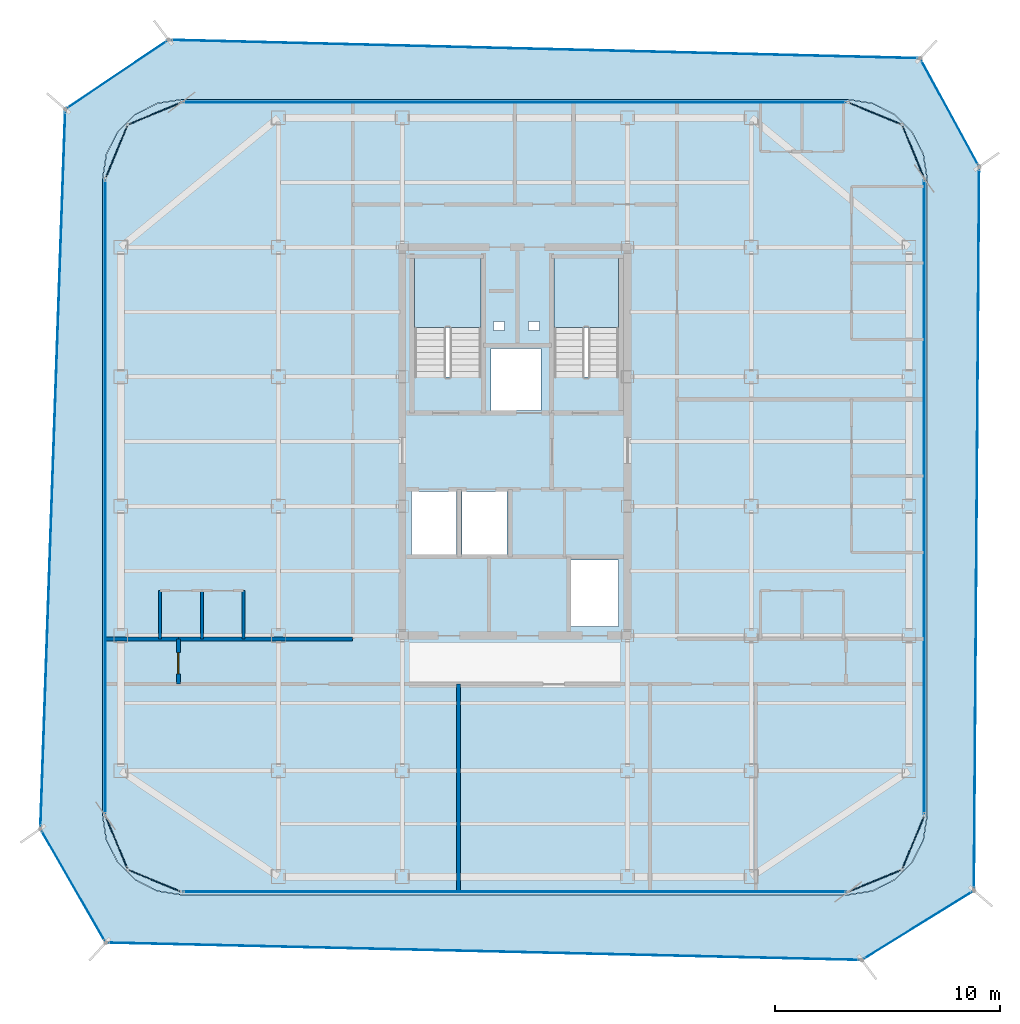
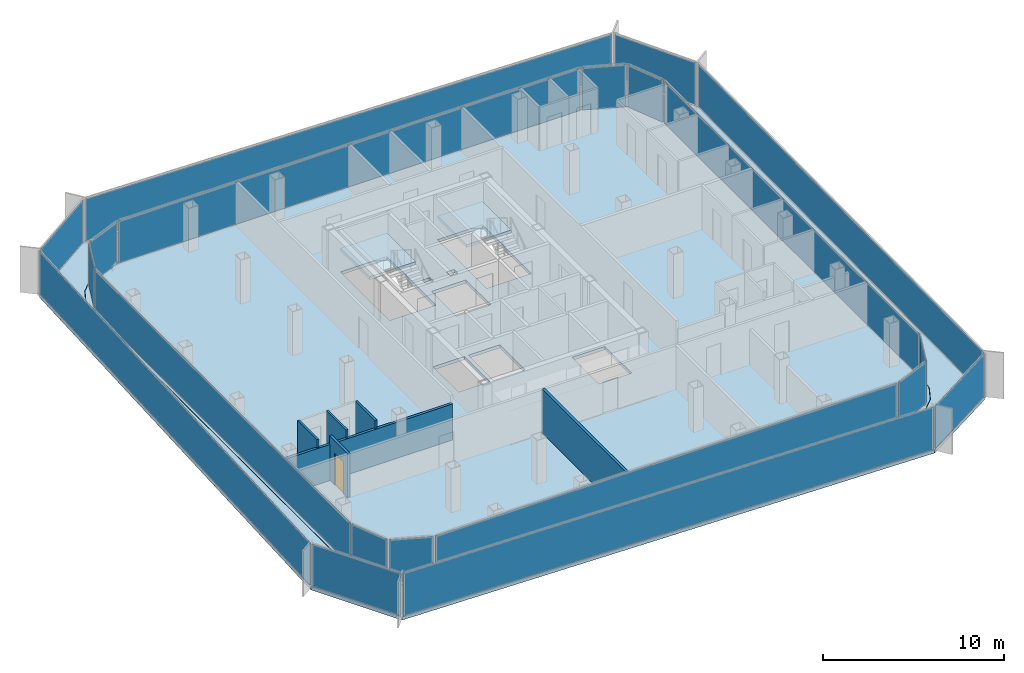
# One storey, part 9 of 15: 20 plates, 7 walls, 4 slabs, 1 door, 1 opening, 22 elements without a shape of their own.
"""IFC4 building model written with IfcOpenShell, lengths in metres."""

import ifcopenshell
import ifcopenshell.guid

model = None  # the IFC model being written
_history = None  # IfcOwnerHistory: only IFC2X3 demands one
_inside = {}  # id of a spatial element -> (the spatial element, [elements in it])
_under = {}  # id of a project, library or spatial element -> (it, [spatial elements below it])
_declared = {}  # id of a project -> (the project, [libraries it declares])
_typed = {}  # id of a type object -> (the type object, [elements of that type])
_made_of = {}  # id of a material, layer set ... -> (it, [elements and type objects made of it])


def new_model(schema):
    """Start an empty IFC model of exactly this schema.

    Asked for "IFC4X3", IfcOpenShell would pick the latest addendum, in which some entities
    have other attributes; the version numbers below select the first issue.
    IFC2X3 requires an IfcOwnerHistory on every rooted entity: one is made here for all.
    """
    global model, _history
    if schema == "IFC4X3":
        model = ifcopenshell.file(schema_version=(4, 3, 0, 0))
    else:
        model = ifcopenshell.file(schema=schema)
    _inside.clear()
    _under.clear()
    _declared.clear()
    _typed.clear()
    _made_of.clear()
    _history = None
    if model.schema == "IFC2X3":
        org = make("IfcOrganization", Name="unknown")
        user = make(
            "IfcPersonAndOrganization",
            ThePerson=make("IfcPerson", FamilyName="unknown"),
            TheOrganization=org,
        )
        app = make(
            "IfcApplication",
            ApplicationDeveloper=org,
            Version="unknown",
            ApplicationFullName="unknown",
            ApplicationIdentifier="unknown",
        )
        _history = make(
            "IfcOwnerHistory",
            OwningUser=user,
            OwningApplication=app,
            ChangeAction="ADDED",
            CreationDate=0,
        )
    return model


def make(cls, **values):
    """One entity of the class cls with the attributes given. An attribute that is None is left unset."""
    return model.create_entity(
        cls, **{name: value for name, value in values.items() if value is not None}
    )


def rooted(cls, **values):
    """An entity with a GlobalId (a new one), such as an element, a storey or a relation."""
    return make(cls, GlobalId=ifcopenshell.guid.new(), OwnerHistory=_history, **values)


def si_unit(unit_type, name, prefix=None):
    """IfcSIUnit, for example si_unit("LENGTHUNIT", "METRE", prefix="MILLI")."""
    return make("IfcSIUnit", UnitType=unit_type, Prefix=prefix, Name=name)


def assignment(units):
    """IfcUnitAssignment: the units of a project."""
    return None if units is None else make("IfcUnitAssignment", Units=units)


def point(xyz):
    """IfcCartesianPoint."""
    return None if xyz is None else make("IfcCartesianPoint", Coordinates=xyz)


def direction(xyz):
    """IfcDirection."""
    return None if xyz is None else make("IfcDirection", DirectionRatios=xyz)


def frame(location, z_axis=None, x_axis=None):
    """IfcAxis2Placement3D, a coordinate frame: its origin and axes. An axis left out is left unset."""
    return make(
        "IfcAxis2Placement3D",
        Location=point(location),
        Axis=direction(z_axis),
        RefDirection=direction(x_axis),
    )


def frame_2d(location, x_axis=None):
    """IfcAxis2Placement2D, a coordinate frame in the plane: its origin and x axis."""
    return make(
        "IfcAxis2Placement2D", Location=point(location), RefDirection=direction(x_axis)
    )


def origin():
    """The frame at (0, 0, 0) with its axes left unset."""
    return frame((0.0, 0.0, 0.0))


def origin_2d():
    """The frame at (0, 0) in the plane with its x axis left unset."""
    return frame_2d((0.0, 0.0))


def place(relative_to, where):
    """IfcLocalPlacement: puts the frame where relative to a parent placement (None: the world)."""
    return make(
        "IfcLocalPlacement", PlacementRelTo=relative_to, RelativePlacement=where
    )


def context(
    kind, dimensions, precision=None, world=None, true_north=None, identifier=None
):
    """IfcGeometricRepresentationContext, for example the 3D "Model" context."""
    return make(
        "IfcGeometricRepresentationContext",
        ContextIdentifier=identifier,
        ContextType=kind,
        CoordinateSpaceDimension=dimensions,
        Precision=precision,
        WorldCoordinateSystem=world,
        TrueNorth=true_north,
    )


def subcontext(parent, identifier, kind, view, scale=None):
    """IfcGeometricRepresentationSubContext, for example "Body" below "Model"."""
    return make(
        "IfcGeometricRepresentationSubContext",
        ContextIdentifier=identifier,
        ContextType=kind,
        ParentContext=parent,
        TargetScale=scale,
        TargetView=view,
    )


def project(units=None, contexts=None):
    """IfcProject with its units and contexts."""
    return rooted(
        "IfcProject",
        Name="project",
        RepresentationContexts=contexts,
        UnitsInContext=assignment(units),
    )


def spatial(cls, under=None, at=None, **own):
    """A site, building, storey or space (cls), placed at a placement, below another one or the project."""
    s = rooted(cls, ObjectPlacement=at, **own)
    if under is not None:
        _under.setdefault(under.id(), (under, []))[1].append(s)
    return s


def polyline(points):
    """IfcPolyline through the points."""
    return make("IfcPolyline", Points=[point(p) for p in points])


def profile(cls, at=None, kind="AREA", **sizes):
    """A parametric profile (cls). Its sizes go by their IFC names, for example OverallWidth=200.0."""
    return make(cls, ProfileType=kind, Position=at, **sizes)


def rectangle(**sizes):
    """IfcRectangleProfileDef."""
    return profile("IfcRectangleProfileDef", **sizes)


def outline(outer, holes=None, kind="AREA"):
    """IfcArbitraryClosedProfileDef: a profile drawn as a closed curve; with holes, ...WithVoids."""
    if holes is None:
        return make("IfcArbitraryClosedProfileDef", ProfileType=kind, OuterCurve=outer)
    return make(
        "IfcArbitraryProfileDefWithVoids",
        ProfileType=kind,
        OuterCurve=outer,
        InnerCurves=holes,
    )


def extrude(swept, where, along, depth):
    """IfcExtrudedAreaSolid: the profile swept, set in the frame where, extruded along a direction by depth."""
    return make(
        "IfcExtrudedAreaSolid",
        SweptArea=swept,
        Position=where,
        ExtrudedDirection=direction(along),
        Depth=depth,
    )


def shape(context_of_items, identifier, shape_type, items):
    """IfcShapeRepresentation: the items that make up one representation, for example the "Body"."""
    return make(
        "IfcShapeRepresentation",
        ContextOfItems=context_of_items,
        RepresentationIdentifier=identifier,
        RepresentationType=shape_type,
        Items=items,
    )


def source(mapping_origin, context_of_items, identifier, shape_type, items):
    """IfcRepresentationMap: a shape defined once, which mapped items show again and again."""
    return make(
        "IfcRepresentationMap",
        MappingOrigin=mapping_origin,
        MappedRepresentation=shape(context_of_items, identifier, shape_type, items),
    )


def transform(
    local_origin,
    x_axis=None,
    y_axis=None,
    z_axis=None,
    scale=None,
    scale2=None,
    scale3=None,
    uniform=True,
):
    """IfcCartesianTransformationOperator3D, or its non-uniform kind. x_axis, y_axis, z_axis: its Axis1, 2, 3."""
    if uniform:
        return make(
            "IfcCartesianTransformationOperator3D",
            Axis1=direction(x_axis),
            Axis2=direction(y_axis),
            LocalOrigin=point(local_origin),
            Scale=scale,
            Axis3=direction(z_axis),
        )
    return make(
        "IfcCartesianTransformationOperator3DnonUniform",
        Axis1=direction(x_axis),
        Axis2=direction(y_axis),
        LocalOrigin=point(local_origin),
        Scale=scale,
        Axis3=direction(z_axis),
        Scale2=scale2,
        Scale3=scale3,
    )


def mapped(mapping_source, mapping_target):
    """IfcMappedItem: shows the shape of a source again, moved by a transform."""
    return make(
        "IfcMappedItem", MappingSource=mapping_source, MappingTarget=mapping_target
    )


def material(Name=None, Category=None):
    """IfcMaterial."""
    return make("IfcMaterial", Name=Name, Category=Category)


def layer(
    of_material, thickness, ventilated=None, Name=None, Category=None, Priority=None
):
    """IfcMaterialLayer: one layer of a wall or slab, of a material (None: an air gap)."""
    return make(
        "IfcMaterialLayer",
        Material=of_material,
        LayerThickness=thickness,
        IsVentilated=ventilated,
        Name=Name,
        Category=Category,
        Priority=Priority,
    )


def layer_set(layers, Name=None):
    """IfcMaterialLayerSet."""
    return make("IfcMaterialLayerSet", MaterialLayers=layers, LayerSetName=Name)


def made_of(thing, what):
    """Note that an element or type object is made of a material, layer set ...; save() writes the relation."""
    if what is not None:
        _made_of.setdefault(what.id(), (what, []))[1].append(thing)
    return thing


def type_object(cls, material=None, **own):
    """A type object (cls), such as IfcWallType, which elements share."""
    return made_of(rooted(cls, **own), material)


def element(
    cls,
    number,
    at=None,
    inside=None,
    cuts=None,
    type_object=None,
    material=None,
    context=None,
    identifier="Body",
    shape_type=None,
    held_by="IfcProductDefinitionShape",
    body=None,
    shapes=None,
    **own,
):
    """One element of the class cls, such as IfcWall. Its Tag is "e" and its number.

    at: its placement. inside: the storey or other place that contains it. cuts: it is an
    opening in that element (IfcRelVoidsElement). A single representation is given by context,
    identifier, shape_type and body (its items); several are given by shapes. held_by: the class
    of the entity that holds the representations. save() writes the other relations.
    """
    e = rooted(cls, Tag="e%d" % number, ObjectPlacement=at, **own)
    if body is not None:
        shapes = [shape(context, identifier, shape_type, body)]
    if shapes is not None:
        e.Representation = make(held_by, Representations=shapes)
    if inside is not None:
        _inside.setdefault(inside.id(), (inside, []))[1].append(e)
    if cuts is not None:
        rooted(
            "IfcRelVoidsElement", RelatingBuildingElement=cuts, RelatedOpeningElement=e
        )
    if type_object is not None:
        _typed.setdefault(type_object.id(), (type_object, []))[1].append(e)
    return made_of(e, material)


def fill(opening, filler):
    """IfcRelFillsElement: the door or window that sits in an opening."""
    return rooted(
        "IfcRelFillsElement",
        RelatingOpeningElement=opening,
        RelatedBuildingElement=filler,
    )


def aggregate(whole, parts):
    """IfcRelAggregates: a whole, such as a stair, and the parts it consists of."""
    return rooted("IfcRelAggregates", RelatingObject=whole, RelatedObjects=parts)


def save(model, path):
    """Write the relations noted so far, then the file.

    IfcRelAggregates (storeys below a building ...), IfcRelContainedInSpatialStructure (elements
    in a storey), IfcRelDefinesByType, IfcRelAssociatesMaterial and IfcRelDeclares: one each for
    every whole, place, type object, material and project.
    """
    for whole, parts in _under.values():
        aggregate(whole, parts)
    for where, things in _inside.values():
        rooted(
            "IfcRelContainedInSpatialStructure",
            RelatedElements=things,
            RelatingStructure=where,
        )
    for kind, things in _typed.values():
        rooted("IfcRelDefinesByType", RelatedObjects=things, RelatingType=kind)
    for what, things in _made_of.values():
        rooted("IfcRelAssociatesMaterial", RelatedObjects=things, RelatingMaterial=what)
    for by, libraries in _declared.values():
        rooted("IfcRelDeclares", RelatingContext=by, RelatedDefinitions=libraries)
    model.write(path)


model = new_model("IFC4")

# Units and contexts
model_context = context("Model", 3, precision=1e-05, world=origin(), true_north=direction((0.0, 1.0)))
body_context = subcontext(model_context, "Body", "Model", "MODEL_VIEW")
ifc_project = project(units=[si_unit("LENGTHUNIT", "METRE"), si_unit("AREAUNIT", "SQUARE_METRE"), si_unit("VOLUMEUNIT", "CUBIC_METRE"), si_unit("PLANEANGLEUNIT", "RADIAN"), si_unit("MASSUNIT", "GRAM", prefix="KILO")], contexts=[model_context])

# Site, building, storey
site_placement = place(None, origin())
site = spatial("IfcSite", under=ifc_project, at=site_placement, CompositionType="ELEMENT")
building_placement = place(site_placement, origin())
building = spatial("IfcBuilding", under=site, at=building_placement, Name="Kolveth Station Tower", CompositionType="ELEMENT")
storey_placement = place(building_placement, frame((0.0, 0.0, 264.89990234375)))
storey = spatial("IfcBuildingStorey", under=building, at=storey_placement, Name="L76", CompositionType="ELEMENT", Elevation=264.89990234375)

# Slab
ifc_material_1 = material(Name="Concrete C40/50", Category="concrete")
ifc_layer_1 = layer(ifc_material_1, 0.219970703125)
ifc_layer_set_1 = layer_set([ifc_layer_1], Name="Concrete C40/50")
slab_type_1 = type_object("IfcSlabType", Name="Slab_SF-220", PredefinedType="FLOOR", material=ifc_layer_set_1)
slab_1_placement = place(storey_placement, frame((0.0, 0.0, -0.219970703125)))
element("IfcSlab", 1, at=slab_1_placement, inside=storey, type_object=slab_type_1, Name="L76 Tower Structural Floor Slab", PredefinedType="FLOOR", context=body_context, shape_type="SweptSolid", body=[
    extrude(outline(polyline([(38.300048828125, 0.0), (39.381591796875, 0.17138671875), (40.357177734375, 0.66845703125), (41.131591796875, 1.44287109375), (41.628662109375, 2.41845703125), (41.800048828125, 3.5), (41.800048828125, 31.800048828125), (41.628662109375, 32.881591796875), (41.131591796875, 33.857177734375), (40.357177734375, 34.631591796875), (39.381591796875, 35.128662109375), (38.300048828125, 35.300048828125), (8.699951171875, 35.300048828125), (7.618408203125, 35.128662109375), (6.642822265625, 34.631591796875), (5.868408203125, 33.857177734375), (5.371337890625, 32.881591796875), (5.199951171875, 31.800048828125), (5.199951171875, 3.5), (5.371337890625, 2.41845703125), (5.868408203125, 1.44287109375), (6.642822265625, 0.66845703125), (7.618408203125, 0.17138671875), (8.699951171875, 0.0), (38.300048828125, 0.0)]), holes=[polyline([(19.0400390625, 22.985107421875), (22.0, 22.985107421875), (22.0, 28.39990234375), (19.0400390625, 28.39990234375), (19.0400390625, 22.985107421875)]), polyline([(25.239990234375, 22.985107421875), (28.10009765625, 22.985107421875), (28.10009765625, 28.39990234375), (25.239990234375, 28.39990234375), (25.239990234375, 22.985107421875)]), polyline([(18.89990234375, 15.10009765625), (20.89990234375, 15.10009765625), (20.89990234375, 17.89990234375), (18.89990234375, 17.89990234375), (18.89990234375, 15.10009765625)]), polyline([(21.14990234375, 15.10009765625), (23.14990234375, 15.10009765625), (23.14990234375, 17.89990234375), (21.14990234375, 17.89990234375), (21.14990234375, 15.10009765625)]), polyline([(22.449951171875, 21.5), (24.64990234375, 21.5), (24.64990234375, 24.25), (22.449951171875, 24.25), (22.449951171875, 21.5)]), polyline([(26.0, 11.89990234375), (28.10009765625, 11.89990234375), (28.10009765625, 14.85009765625), (26.0, 14.85009765625), (26.0, 11.89990234375)]), polyline([(22.550048828125, 25.050048828125), (23.050048828125, 25.050048828125), (23.050048828125, 25.449951171875), (22.550048828125, 25.449951171875), (22.550048828125, 25.050048828125)]), polyline([(24.10009765625, 25.050048828125), (24.60009765625, 25.050048828125), (24.60009765625, 25.449951171875), (24.10009765625, 25.449951171875), (24.10009765625, 25.050048828125)])]), origin(), (0.0, 0.0, 1.0), 0.219970703125),
])

# Stair, slab
stair_type_1 = type_object("IfcStairType", Name="Stair_ST2", PredefinedType="HALF_TURN_STAIR", material=ifc_material_1)
stair_1_placement = place(storey_placement, origin())
stair_1 = element("IfcStair", 2, at=stair_1_placement, inside=storey, type_object=stair_type_1, Name="L76 Tower Exit Stair ST2", PredefinedType="HALF_TURN_STAIR")
ifc_layer_2 = layer(ifc_material_1, 0.18994140625)
ifc_layer_set_2 = layer_set([ifc_layer_2], Name="Concrete C40/50")
slab_type_2 = type_object("IfcSlabType", Name="Slab_SL-190", PredefinedType="LANDING", material=ifc_layer_set_2)
slab_2_placement = place(storey_placement, frame((0.0, 0.0, 1.400146484375)))
slab_2 = element("IfcSlab", 3, at=slab_2_placement, type_object=slab_type_2, Name="ST2 landing 1", PredefinedType="LANDING", context=body_context, shape_type="SweptSolid", body=[
    extrude(outline(polyline([(28.10009765625, 25.18994140625), (28.10009765625, 28.39990234375), (25.239990234375, 28.39990234375), (25.239990234375, 25.18994140625), (28.10009765625, 25.18994140625)])), origin(), (0.0, 0.0, 1.0), 0.199951171875),
])
aggregate(stair_1, [slab_2])

stair_type_2 = type_object("IfcStairType", Name="Stair_ST1", PredefinedType="HALF_TURN_STAIR", material=ifc_material_1)
stair_2_placement = place(storey_placement, origin())
stair_2 = element("IfcStair", 4, at=stair_2_placement, inside=storey, type_object=stair_type_2, Name="L76 Tower Exit Stair ST1", PredefinedType="HALF_TURN_STAIR")
ifc_layer_3 = layer(ifc_material_1, 0.205078125)
ifc_layer_set_3 = layer_set([ifc_layer_3], Name="Concrete C40/50")
slab_type_3 = type_object("IfcSlabType", Name="Slab_SL-205", PredefinedType="LANDING", material=ifc_layer_set_3)
slab_3_placement = place(storey_placement, frame((0.0, 0.0, 1.400146484375)))
slab_3 = element("IfcSlab", 5, at=slab_3_placement, type_object=slab_type_3, Name="ST1 landing 1", PredefinedType="LANDING", context=body_context, shape_type="SweptSolid", body=[
    extrude(outline(polyline([(22.0, 25.18994140625), (22.0, 28.39990234375), (19.0400390625, 28.39990234375), (19.0400390625, 25.18994140625), (22.0, 25.18994140625)])), origin(), (0.0, 0.0, 1.0), 0.199951171875),
])
aggregate(stair_2, [slab_3])

# Slab
ifc_layer_4 = layer(ifc_material_1, 0.2099609375)
ifc_layer_set_4 = layer_set([ifc_layer_4], Name="Concrete C40/50")
slab_type_4 = type_object("IfcSlabType", Name="Slab_ST-210", PredefinedType="FLOOR", material=ifc_layer_set_4)
slab_4_placement = place(storey_placement, frame((0.0, 0.0, -0.2099609375)))
element("IfcSlab", 6, at=slab_4_placement, inside=storey, type_object=slab_type_4, Name="L76 Double-Skin Cavity Structural Ledger Ring", PredefinedType="FLOOR", context=body_context, shape_type="SweptSolid", body=[
    extrude(outline(polyline([(5.335693359375, -2.131591796875), (2.432861328125, 2.926513671875), (3.5380859375, 34.87744140625), (8.126220703125, 37.9541015625), (41.49658203125, 37.138671875), (44.1201171875, 32.318115234375), (43.88720703125, 0.1787109375), (38.904541015625, -2.90283203125), (5.335693359375, -2.131591796875)]), holes=[polyline([(38.30224609375, -0.014892578125), (39.3837890625, 0.156494140625), (39.388427734375, 0.157958984375), (40.364013671875, 0.655029296875), (40.367919921875, 0.65771484375), (41.14208984375, 1.43212890625), (41.14501953125, 1.43603515625), (41.64208984375, 2.41162109375), (41.6435546875, 2.416015625), (41.814697265625, 3.497802734375), (41.81494140625, 3.5), (41.81494140625, 31.800048828125), (41.814697265625, 31.80224609375), (41.6435546875, 32.8837890625), (41.64208984375, 32.888427734375), (41.14501953125, 33.864013671875), (41.14208984375, 33.867919921875), (40.367919921875, 34.64208984375), (40.364013671875, 34.64501953125), (39.388427734375, 35.14208984375), (39.3837890625, 35.1435546875), (38.30224609375, 35.314697265625), (38.300048828125, 35.31494140625), (8.699951171875, 35.31494140625), (8.69775390625, 35.314697265625), (7.6162109375, 35.1435546875), (7.611572265625, 35.14208984375), (6.635986328125, 34.64501953125), (6.632080078125, 34.64208984375), (5.85791015625, 33.867919921875), (5.85498046875, 33.864013671875), (5.35791015625, 32.888427734375), (5.3564453125, 32.8837890625), (5.185302734375, 31.80224609375), (5.18505859375, 31.800048828125), (5.18505859375, 3.5), (5.185302734375, 3.497802734375), (5.3564453125, 2.416015625), (5.35791015625, 2.41162109375), (5.85498046875, 1.43603515625), (5.85791015625, 1.43212890625), (6.632080078125, 0.65771484375), (6.635986328125, 0.655029296875), (7.611572265625, 0.157958984375), (7.6162109375, 0.156494140625), (8.69775390625, -0.014892578125), (8.699951171875, -0.014892578125), (38.300048828125, -0.014892578125), (38.30224609375, -0.014892578125)])]), origin(), (0.0, 0.0, 1.0), 0.2099609375),
])

# Curtain wall, plate
ifc_material_2 = material(Name="Aluminium 6063-T6 and triple low-E dark glass", Category="aluminium")
ifc_layer_5 = layer(ifc_material_2, 0.199951171875)
ifc_layer_set_5 = layer_set([ifc_layer_5], Name="Aluminium 6063-T6 and triple low-E dark glass")
curtain_wall_type_1 = type_object("IfcCurtainWallType", Name="CurtainWall_CW-Z3", PredefinedType="NOTDEFINED", material=ifc_layer_set_5)
curtain_wall_1_placement = place(storey_placement, origin())
curtain_wall_1 = element("IfcCurtainWall", 7, at=curtain_wall_1_placement, inside=storey, type_object=curtain_wall_type_1, Name="L76 Inner Thermal Curtain Wall 1", PredefinedType="NOTDEFINED")
ifc_material_3 = material(Name="Architectural low-E dark glass", Category="glass")
ifc_layer_6 = layer(ifc_material_3, 0.0419921875)
ifc_layer_set_6 = layer_set([ifc_layer_6], Name="Architectural low-E dark glass")
plate_type_1 = type_object("IfcPlateType", Name="Panel_GL3", PredefinedType="CURTAIN_PANEL", material=ifc_layer_set_6)
shared_shape_1 = source(origin(), body_context, "Body", "SweptSolid", [
    extrude(rectangle(XDim=2.430908203125, YDim=0.0419921875, at=origin_2d()), origin(), (0.0, 0.0, 1.0), 2.823974609375),
])
plate_1_placement = place(storey_placement, frame((39.4951171875, 0.614990234375, 0.078125), z_axis=(0.0, 0.0, 1.0), x_axis=(0.923875488975, 0.382693194181, 0.0)))
plate_1 = element("IfcPlate", 8, at=plate_1_placement, type_object=plate_type_1, Name="CW-Z3 panel 1.1", PredefinedType="CURTAIN_PANEL", context=body_context, shape_type="MappedRepresentation", body=[
    mapped(shared_shape_1, transform((0.0, 0.0, 0.0), x_axis=(1.0, 0.0, 0.0), y_axis=(0.0, 1.0, 0.0), z_axis=(0.0, 0.0, 1.0), scale=1.0)),
])
aggregate(curtain_wall_1, [plate_1])

curtain_wall_2_placement = place(storey_placement, origin())
curtain_wall_2 = element("IfcCurtainWall", 9, at=curtain_wall_2_placement, inside=storey, type_object=curtain_wall_type_1, Name="L76 Inner Thermal Curtain Wall 2", PredefinedType="NOTDEFINED")
plate_2_placement = place(storey_placement, frame((41.18505859375, 2.304931640625, 0.078125), z_axis=(0.0, 0.0, 1.0), x_axis=(0.382693194181, 0.923875488975, 0.0)))
plate_2 = element("IfcPlate", 10, at=plate_2_placement, type_object=plate_type_1, Name="CW-Z3 panel 1.1", PredefinedType="CURTAIN_PANEL", context=body_context, shape_type="MappedRepresentation", body=[
    mapped(shared_shape_1, transform((0.0, 0.0, 0.0), x_axis=(1.0, 0.0, 0.0), y_axis=(0.0, 1.0, 0.0), z_axis=(0.0, 0.0, 1.0), scale=1.0)),
])
aggregate(curtain_wall_2, [plate_2])

curtain_wall_3_placement = place(storey_placement, origin())
curtain_wall_3 = element("IfcCurtainWall", 11, at=curtain_wall_3_placement, inside=storey, type_object=curtain_wall_type_1, Name="L76 Inner Thermal Curtain Wall 4", PredefinedType="NOTDEFINED")
plate_3_placement = place(storey_placement, frame((41.18505859375, 32.9951171875, 0.078125), z_axis=(0.0, 0.0, 1.0), x_axis=(-0.382693194181, 0.923875488975, 0.0)))
plate_3 = element("IfcPlate", 12, at=plate_3_placement, type_object=plate_type_1, Name="CW-Z3 panel 1.1", PredefinedType="CURTAIN_PANEL", context=body_context, shape_type="MappedRepresentation", body=[
    mapped(shared_shape_1, transform((0.0, 0.0, 0.0), x_axis=(1.0, 0.0, 0.0), y_axis=(0.0, 1.0, 0.0), z_axis=(0.0, 0.0, 1.0), scale=1.0)),
])
aggregate(curtain_wall_3, [plate_3])

curtain_wall_4_placement = place(storey_placement, origin())
curtain_wall_4 = element("IfcCurtainWall", 13, at=curtain_wall_4_placement, inside=storey, type_object=curtain_wall_type_1, Name="L76 Inner Thermal Curtain Wall 5", PredefinedType="NOTDEFINED")
plate_4_placement = place(storey_placement, frame((39.4951171875, 34.68505859375, 0.078125), z_axis=(0.0, 0.0, 1.0), x_axis=(-0.923875488975, 0.382693194181, 0.0)))
plate_4 = element("IfcPlate", 14, at=plate_4_placement, type_object=plate_type_1, Name="CW-Z3 panel 1.1", PredefinedType="CURTAIN_PANEL", context=body_context, shape_type="MappedRepresentation", body=[
    mapped(shared_shape_1, transform((0.0, 0.0, 0.0), x_axis=(1.0, 0.0, 0.0), y_axis=(0.0, 1.0, 0.0), z_axis=(0.0, 0.0, 1.0), scale=1.0)),
])
aggregate(curtain_wall_4, [plate_4])

curtain_wall_5_placement = place(storey_placement, origin())
curtain_wall_5 = element("IfcCurtainWall", 15, at=curtain_wall_5_placement, inside=storey, type_object=curtain_wall_type_1, Name="L76 Inner Thermal Curtain Wall 7", PredefinedType="NOTDEFINED")
plate_5_placement = place(storey_placement, frame((7.5048828125, 34.68505859375, 0.078125), z_axis=(0.0, 0.0, 1.0), x_axis=(-0.923875488975, -0.382693194181, 0.0)))
plate_5 = element("IfcPlate", 16, at=plate_5_placement, type_object=plate_type_1, Name="CW-Z3 panel 1.1", PredefinedType="CURTAIN_PANEL", context=body_context, shape_type="MappedRepresentation", body=[
    mapped(shared_shape_1, transform((0.0, 0.0, 0.0), x_axis=(1.0, 0.0, 0.0), y_axis=(0.0, 1.0, 0.0), z_axis=(0.0, 0.0, 1.0), scale=1.0)),
])
aggregate(curtain_wall_5, [plate_5])

curtain_wall_6_placement = place(storey_placement, origin())
curtain_wall_6 = element("IfcCurtainWall", 17, at=curtain_wall_6_placement, inside=storey, type_object=curtain_wall_type_1, Name="L76 Inner Thermal Curtain Wall 8", PredefinedType="NOTDEFINED")
plate_6_placement = place(storey_placement, frame((5.81494140625, 32.9951171875, 0.078125), z_axis=(0.0, 0.0, 1.0), x_axis=(-0.382693194181, -0.923875488975, 0.0)))
plate_6 = element("IfcPlate", 18, at=plate_6_placement, type_object=plate_type_1, Name="CW-Z3 panel 1.1", PredefinedType="CURTAIN_PANEL", context=body_context, shape_type="MappedRepresentation", body=[
    mapped(shared_shape_1, transform((0.0, 0.0, 0.0), x_axis=(1.0, 0.0, 0.0), y_axis=(0.0, 1.0, 0.0), z_axis=(0.0, 0.0, 1.0), scale=1.0)),
])
aggregate(curtain_wall_6, [plate_6])

curtain_wall_7_placement = place(storey_placement, origin())
curtain_wall_7 = element("IfcCurtainWall", 19, at=curtain_wall_7_placement, inside=storey, type_object=curtain_wall_type_1, Name="L76 Inner Thermal Curtain Wall 10", PredefinedType="NOTDEFINED")
plate_7_placement = place(storey_placement, frame((5.81494140625, 2.304931640625, 0.078125), z_axis=(0.0, 0.0, 1.0), x_axis=(0.382693194181, -0.923875488975, 0.0)))
plate_7 = element("IfcPlate", 20, at=plate_7_placement, type_object=plate_type_1, Name="CW-Z3 panel 1.1", PredefinedType="CURTAIN_PANEL", context=body_context, shape_type="MappedRepresentation", body=[
    mapped(shared_shape_1, transform((0.0, 0.0, 0.0), x_axis=(1.0, 0.0, 0.0), y_axis=(0.0, 1.0, 0.0), z_axis=(0.0, 0.0, 1.0), scale=1.0)),
])
aggregate(curtain_wall_7, [plate_7])

curtain_wall_8_placement = place(storey_placement, origin())
curtain_wall_8 = element("IfcCurtainWall", 21, at=curtain_wall_8_placement, inside=storey, type_object=curtain_wall_type_1, Name="L76 Inner Thermal Curtain Wall 11", PredefinedType="NOTDEFINED")
plate_8_placement = place(storey_placement, frame((7.5048828125, 0.614990234375, 0.078125), z_axis=(0.0, 0.0, 1.0), x_axis=(0.923875488975, -0.382693194181, 0.0)))
plate_8 = element("IfcPlate", 22, at=plate_8_placement, type_object=plate_type_1, Name="CW-Z3 panel 1.1", PredefinedType="CURTAIN_PANEL", context=body_context, shape_type="MappedRepresentation", body=[
    mapped(shared_shape_1, transform((0.0, 0.0, 0.0), x_axis=(1.0, 0.0, 0.0), y_axis=(0.0, 1.0, 0.0), z_axis=(0.0, 0.0, 1.0), scale=1.0)),
])
aggregate(curtain_wall_8, [plate_8])

curtain_wall_9_placement = place(storey_placement, origin())
curtain_wall_9 = element("IfcCurtainWall", 23, at=curtain_wall_9_placement, inside=storey, type_object=curtain_wall_type_1, Name="L76 Inner Thermal Curtain Wall 3", PredefinedType="NOTDEFINED")
shared_shape_2 = source(origin(), body_context, "Body", "SweptSolid", [
    extrude(rectangle(XDim=28.14404296875, YDim=0.0419921875, at=origin_2d()), origin(), (0.0, 0.0, 1.0), 2.823974609375),
])
plate_9_placement = place(storey_placement, frame((41.679931640625, 17.64990234375, 0.078125), z_axis=(0.0, 0.0, 1.0), x_axis=(0.0, 1.0, 0.0)))
plate_9 = element("IfcPlate", 24, at=plate_9_placement, type_object=plate_type_1, Name="CW-Z3 panel 1.1", PredefinedType="CURTAIN_PANEL", context=body_context, shape_type="MappedRepresentation", body=[
    mapped(shared_shape_2, transform((0.0, 0.0, 0.0), x_axis=(1.0, 0.0, 0.0), y_axis=(0.0, 1.0, 0.0), z_axis=(0.0, 0.0, 1.0), scale=1.0)),
])
aggregate(curtain_wall_9, [plate_9])

curtain_wall_10_placement = place(storey_placement, origin())
curtain_wall_10 = element("IfcCurtainWall", 25, at=curtain_wall_10_placement, inside=storey, type_object=curtain_wall_type_1, Name="L76 Inner Thermal Curtain Wall 9", PredefinedType="NOTDEFINED")
plate_10_placement = place(storey_placement, frame((5.320068359375, 17.64990234375, 0.078125), z_axis=(0.0, 0.0, 1.0), x_axis=(0.0, -1.0, 0.0)))
plate_10 = element("IfcPlate", 26, at=plate_10_placement, type_object=plate_type_1, Name="CW-Z3 panel 1.1", PredefinedType="CURTAIN_PANEL", context=body_context, shape_type="MappedRepresentation", body=[
    mapped(shared_shape_2, transform((0.0, 0.0, 0.0), x_axis=(1.0, 0.0, 0.0), y_axis=(0.0, 1.0, 0.0), z_axis=(0.0, 0.0, 1.0), scale=1.0)),
])
aggregate(curtain_wall_10, [plate_10])

curtain_wall_11_placement = place(storey_placement, origin())
curtain_wall_11 = element("IfcCurtainWall", 27, at=curtain_wall_11_placement, inside=storey, type_object=curtain_wall_type_1, Name="L76 Inner Thermal Curtain Wall 6", PredefinedType="NOTDEFINED")
shared_shape_3 = source(origin(), body_context, "Body", "SweptSolid", [
    extrude(rectangle(XDim=29.444091796875, YDim=0.0419921875, at=origin_2d()), origin(), (0.0, 0.0, 1.0), 2.823974609375),
])
plate_11_placement = place(storey_placement, frame((23.5, 35.179931640625, 0.078125), z_axis=(0.0, 0.0, 1.0), x_axis=(-1.0, 0.0, 0.0)))
plate_11 = element("IfcPlate", 28, at=plate_11_placement, type_object=plate_type_1, Name="CW-Z3 panel 1.1", PredefinedType="CURTAIN_PANEL", context=body_context, shape_type="MappedRepresentation", body=[
    mapped(shared_shape_3, transform((0.0, 0.0, 0.0), x_axis=(1.0, 0.0, 0.0), y_axis=(0.0, 1.0, 0.0), z_axis=(0.0, 0.0, 1.0), scale=1.0)),
])
aggregate(curtain_wall_11, [plate_11])

curtain_wall_12_placement = place(storey_placement, origin())
curtain_wall_12 = element("IfcCurtainWall", 29, at=curtain_wall_12_placement, inside=storey, type_object=curtain_wall_type_1, Name="L76 Inner Thermal Curtain Wall 12", PredefinedType="NOTDEFINED")
plate_12_placement = place(storey_placement, frame((23.5, 0.1201171875, 0.078125), z_axis=(0.0, 0.0, 1.0), x_axis=(1.0, 0.0, 0.0)))
plate_12 = element("IfcPlate", 30, at=plate_12_placement, type_object=plate_type_1, Name="CW-Z3 panel 1.1", PredefinedType="CURTAIN_PANEL", context=body_context, shape_type="MappedRepresentation", body=[
    mapped(shared_shape_3, transform((0.0, 0.0, 0.0), x_axis=(1.0, 0.0, 0.0), y_axis=(0.0, 1.0, 0.0), z_axis=(0.0, 0.0, 1.0), scale=1.0)),
])
aggregate(curtain_wall_12, [plate_12])

ifc_material_4 = material(Name="Black anodized aluminium 6063-T6 and dark solar glass", Category="aluminium")
ifc_layer_7 = layer(ifc_material_4, 0.159912109375)
ifc_layer_set_7 = layer_set([ifc_layer_7], Name="Black anodized aluminium 6063-T6 and dark solar glass")
curtain_wall_type_2 = type_object("IfcCurtainWallType", Name="OUTER SKIN CW-OS", PredefinedType="NOTDEFINED", material=ifc_layer_set_7)
curtain_wall_13_placement = place(storey_placement, origin())
curtain_wall_13 = element("IfcCurtainWall", 31, at=curtain_wall_13_placement, inside=storey, type_object=curtain_wall_type_2, Name="L76 Outer Ventilated Skin Curtain Wall 1", PredefinedType="NOTDEFINED")
ifc_layer_8 = layer(ifc_material_3, 0.028076171875)
ifc_layer_set_8 = layer_set([ifc_layer_8], Name="Architectural low-E dark glass")
plate_type_2 = type_object("IfcPlateType", Name="Panel_GL-OS", PredefinedType="CURTAIN_PANEL", material=ifc_layer_set_8)
shared_shape_4 = source(origin(), body_context, "Body", "SweptSolid", [
    extrude(rectangle(XDim=5.692626953125, YDim=0.028076171875, at=origin_2d()), origin(), (0.0, 0.0, 1.0), 2.843994140625),
])
plate_13_placement = place(storey_placement, frame((41.39599609375, -1.362060546875, 0.0732421875), z_axis=(0.0, 0.0, 1.0), x_axis=(0.850496419279, 0.525980836907, 0.0)))
plate_13 = element("IfcPlate", 32, at=plate_13_placement, type_object=plate_type_2, Name="CW-OS panel 1.1", PredefinedType="CURTAIN_PANEL", context=body_context, shape_type="MappedRepresentation", body=[
    mapped(shared_shape_4, transform((0.0, 0.0, 0.0), x_axis=(1.0, 0.0, 0.0), y_axis=(0.0, 1.0, 0.0), z_axis=(0.0, 0.0, 1.0), scale=1.0)),
])
aggregate(curtain_wall_13, [plate_13])

curtain_wall_14_placement = place(storey_placement, origin())
curtain_wall_14 = element("IfcCurtainWall", 33, at=curtain_wall_14_placement, inside=storey, type_object=curtain_wall_type_2, Name="L76 Outer Ventilated Skin Curtain Wall 2", PredefinedType="NOTDEFINED")
shared_shape_5 = source(origin(), body_context, "Body", "SweptSolid", [
    extrude(rectangle(XDim=31.97412109375, YDim=0.028076171875, at=origin_2d()), origin(), (0.0, 0.0, 1.0), 2.843994140625),
])
plate_14_placement = place(storey_placement, frame((44.003662109375, 16.248291015625, 0.0732421875), z_axis=(0.0, 0.0, 1.0), x_axis=(0.007243278258, 0.999973767116, 0.0)))
plate_14 = element("IfcPlate", 34, at=plate_14_placement, type_object=plate_type_2, Name="CW-OS panel 1.1", PredefinedType="CURTAIN_PANEL", context=body_context, shape_type="MappedRepresentation", body=[
    mapped(shared_shape_5, transform((0.0, 0.0, 0.0), x_axis=(1.0, 0.0, 0.0), y_axis=(0.0, 1.0, 0.0), z_axis=(0.0, 0.0, 1.0), scale=1.0)),
])
aggregate(curtain_wall_14, [plate_14])

curtain_wall_15_placement = place(storey_placement, origin())
curtain_wall_15 = element("IfcCurtainWall", 35, at=curtain_wall_15_placement, inside=storey, type_object=curtain_wall_type_2, Name="L76 Outer Ventilated Skin Curtain Wall 3", PredefinedType="NOTDEFINED")
shared_shape_6 = source(origin(), body_context, "Body", "SweptSolid", [
    extrude(rectangle(XDim=5.322265625, YDim=0.028076171875, at=origin_2d()), origin(), (0.0, 0.0, 1.0), 2.843994140625),
])
plate_15_placement = place(storey_placement, frame((42.808349609375, 34.728271484375, 0.0732421875), z_axis=(0.0, 0.0, 1.0), x_axis=(-0.478020841939, 0.878348492725, 0.0)))
plate_15 = element("IfcPlate", 36, at=plate_15_placement, type_object=plate_type_2, Name="CW-OS panel 1.1", PredefinedType="CURTAIN_PANEL", context=body_context, shape_type="MappedRepresentation", body=[
    mapped(shared_shape_6, transform((0.0, 0.0, 0.0), x_axis=(1.0, 0.0, 0.0), y_axis=(0.0, 1.0, 0.0), z_axis=(0.0, 0.0, 1.0), scale=1.0)),
])
aggregate(curtain_wall_15, [plate_15])

curtain_wall_16_placement = place(storey_placement, origin())
curtain_wall_16 = element("IfcCurtainWall", 37, at=curtain_wall_16_placement, inside=storey, type_object=curtain_wall_type_2, Name="L76 Outer Ventilated Skin Curtain Wall 4", PredefinedType="NOTDEFINED")
shared_shape_7 = source(origin(), body_context, "Body", "SweptSolid", [
    extrude(rectangle(XDim=33.21435546875, YDim=0.028076171875, at=origin_2d()), origin(), (0.0, 0.0, 1.0), 2.843994140625),
])
plate_16_placement = place(storey_placement, frame((24.811279296875, 37.54638671875, 0.0732421875), z_axis=(0.0, 0.0, 1.0), x_axis=(-0.999701603193, 0.024427537189, 0.0)))
plate_16 = element("IfcPlate", 38, at=plate_16_placement, type_object=plate_type_2, Name="CW-OS panel 1.1", PredefinedType="CURTAIN_PANEL", context=body_context, shape_type="MappedRepresentation", body=[
    mapped(shared_shape_7, transform((0.0, 0.0, 0.0), x_axis=(1.0, 0.0, 0.0), y_axis=(0.0, 1.0, 0.0), z_axis=(0.0, 0.0, 1.0), scale=1.0)),
])
aggregate(curtain_wall_16, [plate_16])

curtain_wall_17_placement = place(storey_placement, origin())
curtain_wall_17 = element("IfcCurtainWall", 39, at=curtain_wall_17_placement, inside=storey, type_object=curtain_wall_type_2, Name="L76 Outer Ventilated Skin Curtain Wall 5", PredefinedType="NOTDEFINED")
shared_shape_8 = source(origin(), body_context, "Body", "SweptSolid", [
    extrude(rectangle(XDim=5.358154296875, YDim=0.028076171875, at=origin_2d()), origin(), (0.0, 0.0, 1.0), 2.843994140625),
])
plate_17_placement = place(storey_placement, frame((5.83203125, 36.415771484375, 0.0732421875), z_axis=(0.0, 0.0, 1.0), x_axis=(-0.830562906298, -0.556924823187, 0.0)))
plate_17 = element("IfcPlate", 40, at=plate_17_placement, type_object=plate_type_2, Name="CW-OS panel 1.1", PredefinedType="CURTAIN_PANEL", context=body_context, shape_type="MappedRepresentation", body=[
    mapped(shared_shape_8, transform((0.0, 0.0, 0.0), x_axis=(1.0, 0.0, 0.0), y_axis=(0.0, 1.0, 0.0), z_axis=(0.0, 0.0, 1.0), scale=1.0)),
])
aggregate(curtain_wall_17, [plate_17])

curtain_wall_18_placement = place(storey_placement, origin())
curtain_wall_18 = element("IfcCurtainWall", 41, at=curtain_wall_18_placement, inside=storey, type_object=curtain_wall_type_2, Name="L76 Outer Ventilated Skin Curtain Wall 6", PredefinedType="NOTDEFINED")
shared_shape_9 = source(origin(), body_context, "Body", "SweptSolid", [
    extrude(rectangle(XDim=31.80419921875, YDim=0.028076171875, at=origin_2d()), origin(), (0.0, 0.0, 1.0), 2.843994140625),
])
plate_18_placement = place(storey_placement, frame((2.985595703125, 18.902099609375, 0.0732421875), z_axis=(0.0, 0.0, 1.0), x_axis=(-0.034569791444, -0.999402286129, 0.0)))
plate_18 = element("IfcPlate", 42, at=plate_18_placement, type_object=plate_type_2, Name="CW-OS panel 1.1", PredefinedType="CURTAIN_PANEL", context=body_context, shape_type="MappedRepresentation", body=[
    mapped(shared_shape_9, transform((0.0, 0.0, 0.0), x_axis=(1.0, 0.0, 0.0), y_axis=(0.0, 1.0, 0.0), z_axis=(0.0, 0.0, 1.0), scale=1.0)),
])
aggregate(curtain_wall_18, [plate_18])

curtain_wall_19_placement = place(storey_placement, origin())
curtain_wall_19 = element("IfcCurtainWall", 43, at=curtain_wall_19_placement, inside=storey, type_object=curtain_wall_type_2, Name="L76 Outer Ventilated Skin Curtain Wall 7", PredefinedType="NOTDEFINED")
shared_shape_10 = source(origin(), body_context, "Body", "SweptSolid", [
    extrude(rectangle(XDim=5.665771484375, YDim=0.028076171875, at=origin_2d()), origin(), (0.0, 0.0, 1.0), 2.843994140625),
])
plate_19_placement = place(storey_placement, frame((3.88427734375, 0.3974609375, 0.0732421875), z_axis=(0.0, 0.0, 1.0), x_axis=(0.497735438115, -0.867328907419, 0.0)))
plate_19 = element("IfcPlate", 44, at=plate_19_placement, type_object=plate_type_2, Name="CW-OS panel 1.1", PredefinedType="CURTAIN_PANEL", context=body_context, shape_type="MappedRepresentation", body=[
    mapped(shared_shape_10, transform((0.0, 0.0, 0.0), x_axis=(1.0, 0.0, 0.0), y_axis=(0.0, 1.0, 0.0), z_axis=(0.0, 0.0, 1.0), scale=1.0)),
])
aggregate(curtain_wall_19, [plate_19])

curtain_wall_20_placement = place(storey_placement, origin())
curtain_wall_20 = element("IfcCurtainWall", 45, at=curtain_wall_20_placement, inside=storey, type_object=curtain_wall_type_2, Name="L76 Outer Ventilated Skin Curtain Wall 8", PredefinedType="NOTDEFINED")
shared_shape_11 = source(origin(), body_context, "Body", "SweptSolid", [
    extrude(rectangle(XDim=33.411865234375, YDim=0.028076171875, at=origin_2d()), origin(), (0.0, 0.0, 1.0), 2.843994140625),
])
plate_20_placement = place(storey_placement, frame((22.1201171875, -2.51708984375, 0.0732421875), z_axis=(0.0, 0.0, 1.0), x_axis=(0.999736211797, -0.022967516648, 0.0)))
plate_20 = element("IfcPlate", 46, at=plate_20_placement, type_object=plate_type_2, Name="CW-OS panel 1.1", PredefinedType="CURTAIN_PANEL", context=body_context, shape_type="MappedRepresentation", body=[
    mapped(shared_shape_11, transform((0.0, 0.0, 0.0), x_axis=(1.0, 0.0, 0.0), y_axis=(0.0, 1.0, 0.0), z_axis=(0.0, 0.0, 1.0), scale=1.0)),
])
aggregate(curtain_wall_20, [plate_20])

# Walls
ifc_material_5 = material(Name="Moisture-resistant gypsum partition")
ifc_layer_9 = layer(ifc_material_5, 0.135009765625)
ifc_layer_set_9 = layer_set([ifc_layer_9], Name="Moisture-resistant gypsum partition")
wall_type_1 = type_object("IfcWallType", Name="Wall_IW-135", PredefinedType="PARTITIONING", material=ifc_layer_set_9)
for number, where, z_axis, x_axis, name in (
    (47, (7.75, 11.35009765625, 0.0), (0.0, 0.0, 1.0), (0.0, 1.0, 0.0), "L76 Partition Wall WL-L76-W1-IBV0"),
    (48, (9.60009765625, 11.35009765625, 0.0), (0.0, 0.0, 1.0), (0.0, 1.0, 0.0), "L76 Partition Wall WL-L76-W1-IBV1"),
    (49, (11.449951171875, 11.35009765625, 0.0), (0.0, 0.0, 1.0), (0.0, 1.0, 0.0), "L76 Partition Wall WL-L76-W1-IBV2"),
):
    element("IfcWall", number, at=place(storey_placement, frame(where, z_axis=z_axis, x_axis=x_axis)), inside=storey, type_object=wall_type_1, Name=name, PredefinedType="PARTITIONING", context=body_context, shape_type="SweptSolid", body=[
        extrude(rectangle(XDim=2.14990234375, YDim=0.135009765625, at=frame_2d((1.074951171875, 0.0))), origin(), (0.0, 0.0, 1.0), 2.97998046875),
    ])
ifc_material_6 = material(Name="Acoustic double-stud gypsum partition")
ifc_layer_10 = layer(ifc_material_6, 0.1650390625)
ifc_layer_set_10 = layer_set([ifc_layer_10], Name="Acoustic double-stud gypsum partition")
wall_type_2 = type_object("IfcWallType", Name="Wall_IW-165", PredefinedType="PARTITIONING", material=ifc_layer_set_10)
wall_1_placement = place(storey_placement, frame((8.56005859375, 11.35009765625, 0.0), z_axis=(0.0, 0.0, 1.0), x_axis=(1.0, 0.0, 0.0)))
element("IfcWall", 50, at=wall_1_placement, inside=storey, type_object=wall_type_2, Name="L76 Partition Wall WL-L76-RSWT", PredefinedType="PARTITIONING", context=body_context, shape_type="SweptSolid", body=[
    extrude(rectangle(XDim=7.739990234375, YDim=0.1650390625, at=frame_2d((3.8701171875, 0.0))), origin(), (0.0, 0.0, 1.0), 2.427978515625),
])

# Wall, opening, door
wall_2_placement = place(storey_placement, frame((8.56005859375, 9.35009765625, 0.0), z_axis=(0.0, 0.0, 1.0), x_axis=(0.0, 1.0, 0.0)))
wall_2 = element("IfcWall", 51, at=wall_2_placement, inside=storey, type_object=wall_type_2, Name="L76 Partition Wall WL-L76-RSWE", PredefinedType="PARTITIONING", context=body_context, shape_type="SweptSolid", body=[
    extrude(rectangle(XDim=2.0, YDim=0.1650390625, at=frame_2d((1.0, 0.0))), origin(), (0.0, 0.0, 1.0), 2.97998046875),
])
opening_placement = place(wall_2_placement, frame((0.449951171875, 0.0, 0.0)))
opening = element("IfcOpeningElement", 52, at=opening_placement, cuts=wall_2, Name="Opening ID1", PredefinedType="OPENING", context=body_context, shape_type="SweptSolid", body=[
    extrude(rectangle(XDim=0.949951171875, YDim=2.14990234375, at=frame_2d((0.47509765625, 1.074951171875))), frame((0.0, 0.092529296875, 0.0), z_axis=(0.0, -1.0, 0.0), x_axis=(1.0, 0.0, 0.0)), (0.0, 0.0, 1.0), 0.18505859375),
])
ifc_material_7 = material(Name="Acoustic hardwood leaf and aluminium frame", Category="wood")
door_type = type_object("IfcDoorType", Name="Door_ID1", OperationType="NOTDEFINED", PredefinedType="DOOR", material=ifc_material_7)
door_placement = place(opening_placement, frame((0.949951171875, 0.0, 0.0), z_axis=(0.0, 0.0, 1.0), x_axis=(-1.0, 0.0, 0.0)))
door = element("IfcDoor", 53, at=door_placement, inside=storey, type_object=door_type, Name="L76 West Store Door", OperationType="SINGLE_SWING_LEFT", OverallHeight=2.14990234375, OverallWidth=0.949951171875, PredefinedType="DOOR", context=body_context, shape_type="SweptSolid", body=[
    extrude(rectangle(XDim=0.949951171875, YDim=2.14990234375, at=frame_2d((0.47509765625, 1.074951171875))), frame((0.0, 0.02490234375, 0.0), z_axis=(0.0, -1.0, 0.0), x_axis=(1.0, 0.0, 0.0)), (0.0, 0.0, 1.0), 0.050048828125),
])
fill(opening, door)

# Walls
wall_3_placement = place(storey_placement, frame((21.0, 0.159912109375, 0.0), z_axis=(0.0, 0.0, 1.0), x_axis=(0.0, 1.0, 0.0)))
element("IfcWall", 54, at=wall_3_placement, inside=storey, type_object=wall_type_2, Name="L76 Partition Wall WL-L76-RSA-P1", PredefinedType="PARTITIONING", context=body_context, shape_type="SweptSolid", body=[
    extrude(rectangle(XDim=9.190185546875, YDim=0.1650390625, at=frame_2d((4.59521484375, 0.0))), origin(), (0.0, 0.0, 1.0), 2.97998046875),
])
wall_4_placement = place(storey_placement, frame((5.360107421875, 11.35009765625, 0.0), z_axis=(0.0, 0.0, 1.0), x_axis=(1.0, 0.0, 0.0)))
element("IfcWall", 55, at=wall_4_placement, inside=storey, type_object=wall_type_2, Name="L76 Partition Wall WL-L76-WSTN", PredefinedType="PARTITIONING", context=body_context, shape_type="SweptSolid", body=[
    extrude(rectangle(XDim=3.199951171875, YDim=0.1650390625, at=frame_2d((1.60009765625, 0.0))), origin(), (0.0, 0.0, 1.0), 2.427978515625),
])

save(model, "model.ifc")
